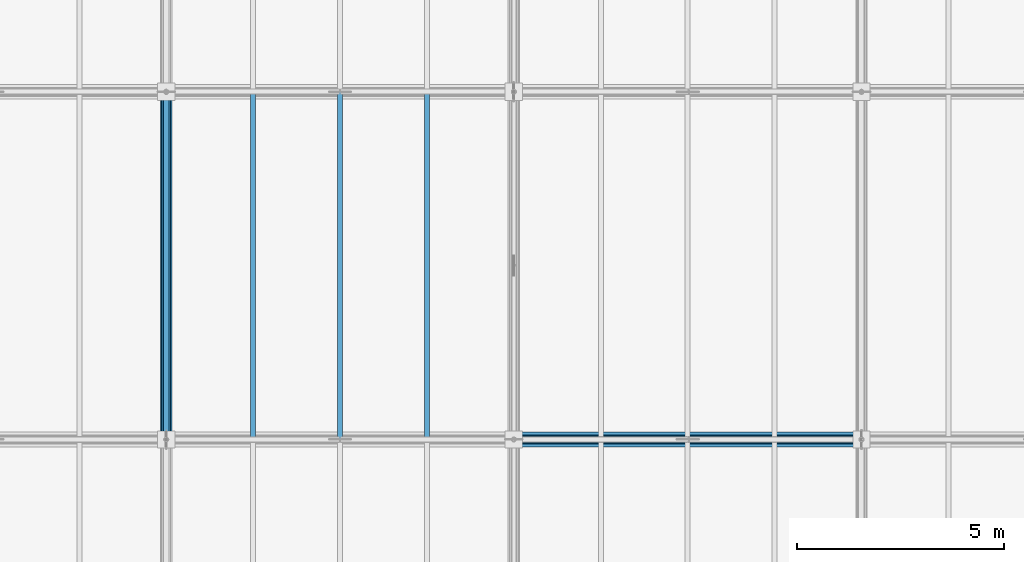
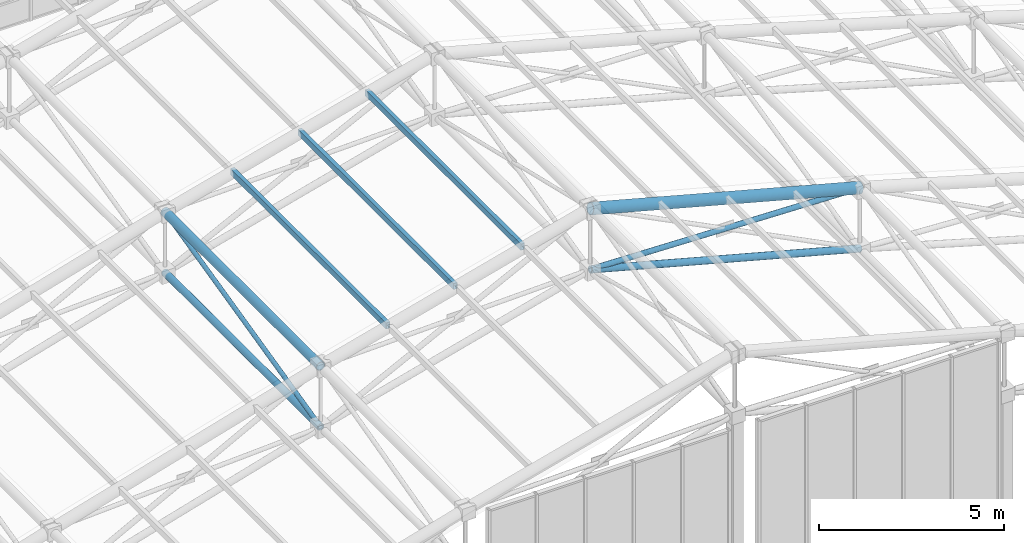
# One storey, part 46 of 144: 9 members.
"""IFC4 building model written with IfcOpenShell, lengths in metres."""

import ifcopenshell
import ifcopenshell.guid

model = None  # the IFC model being written
_history = None  # IfcOwnerHistory: only IFC2X3 demands one
_inside = {}  # id of a spatial element -> (the spatial element, [elements in it])
_under = {}  # id of a project, library or spatial element -> (it, [spatial elements below it])
_declared = {}  # id of a project -> (the project, [libraries it declares])
_typed = {}  # id of a type object -> (the type object, [elements of that type])
_made_of = {}  # id of a material, layer set ... -> (it, [elements and type objects made of it])


def new_model(schema):
    """Start an empty IFC model of exactly this schema.

    Asked for "IFC4X3", IfcOpenShell would pick the latest addendum, in which some entities
    have other attributes; the version numbers below select the first issue.
    IFC2X3 requires an IfcOwnerHistory on every rooted entity: one is made here for all.
    """
    global model, _history
    if schema == "IFC4X3":
        model = ifcopenshell.file(schema_version=(4, 3, 0, 0))
    else:
        model = ifcopenshell.file(schema=schema)
    _inside.clear()
    _under.clear()
    _declared.clear()
    _typed.clear()
    _made_of.clear()
    _history = None
    if model.schema == "IFC2X3":
        org = make("IfcOrganization", Name="unknown")
        user = make(
            "IfcPersonAndOrganization",
            ThePerson=make("IfcPerson", FamilyName="unknown"),
            TheOrganization=org,
        )
        app = make(
            "IfcApplication",
            ApplicationDeveloper=org,
            Version="unknown",
            ApplicationFullName="unknown",
            ApplicationIdentifier="unknown",
        )
        _history = make(
            "IfcOwnerHistory",
            OwningUser=user,
            OwningApplication=app,
            ChangeAction="ADDED",
            CreationDate=0,
        )
    return model


def make(cls, **values):
    """One entity of the class cls with the attributes given. An attribute that is None is left unset."""
    return model.create_entity(
        cls, **{name: value for name, value in values.items() if value is not None}
    )


def rooted(cls, **values):
    """An entity with a GlobalId (a new one), such as an element, a storey or a relation."""
    return make(cls, GlobalId=ifcopenshell.guid.new(), OwnerHistory=_history, **values)


def si_unit(unit_type, name, prefix=None):
    """IfcSIUnit, for example si_unit("LENGTHUNIT", "METRE", prefix="MILLI")."""
    return make("IfcSIUnit", UnitType=unit_type, Prefix=prefix, Name=name)


def assignment(units):
    """IfcUnitAssignment: the units of a project."""
    return None if units is None else make("IfcUnitAssignment", Units=units)


def point(xyz):
    """IfcCartesianPoint."""
    return None if xyz is None else make("IfcCartesianPoint", Coordinates=xyz)


def direction(xyz):
    """IfcDirection."""
    return None if xyz is None else make("IfcDirection", DirectionRatios=xyz)


def frame(location, z_axis=None, x_axis=None):
    """IfcAxis2Placement3D, a coordinate frame: its origin and axes. An axis left out is left unset."""
    return make(
        "IfcAxis2Placement3D",
        Location=point(location),
        Axis=direction(z_axis),
        RefDirection=direction(x_axis),
    )


def frame_2d(location, x_axis=None):
    """IfcAxis2Placement2D, a coordinate frame in the plane: its origin and x axis."""
    return make(
        "IfcAxis2Placement2D", Location=point(location), RefDirection=direction(x_axis)
    )


def origin():
    """The frame at (0, 0, 0) with its axes left unset."""
    return frame((0.0, 0.0, 0.0))


def origin_2d():
    """The frame at (0, 0) in the plane with its x axis left unset."""
    return frame_2d((0.0, 0.0))


def place(relative_to, where):
    """IfcLocalPlacement: puts the frame where relative to a parent placement (None: the world)."""
    return make(
        "IfcLocalPlacement", PlacementRelTo=relative_to, RelativePlacement=where
    )


def context(
    kind, dimensions, precision=None, world=None, true_north=None, identifier=None
):
    """IfcGeometricRepresentationContext, for example the 3D "Model" context."""
    return make(
        "IfcGeometricRepresentationContext",
        ContextIdentifier=identifier,
        ContextType=kind,
        CoordinateSpaceDimension=dimensions,
        Precision=precision,
        WorldCoordinateSystem=world,
        TrueNorth=true_north,
    )


def subcontext(parent, identifier, kind, view, scale=None):
    """IfcGeometricRepresentationSubContext, for example "Body" below "Model"."""
    return make(
        "IfcGeometricRepresentationSubContext",
        ContextIdentifier=identifier,
        ContextType=kind,
        ParentContext=parent,
        TargetScale=scale,
        TargetView=view,
    )


def project(units=None, contexts=None):
    """IfcProject with its units and contexts."""
    return rooted(
        "IfcProject",
        Name="project",
        RepresentationContexts=contexts,
        UnitsInContext=assignment(units),
    )


def spatial(cls, under=None, at=None, **own):
    """A site, building, storey or space (cls), placed at a placement, below another one or the project."""
    s = rooted(cls, ObjectPlacement=at, **own)
    if under is not None:
        _under.setdefault(under.id(), (under, []))[1].append(s)
    return s


def profile(cls, at=None, kind="AREA", **sizes):
    """A parametric profile (cls). Its sizes go by their IFC names, for example OverallWidth=200.0."""
    return make(cls, ProfileType=kind, Position=at, **sizes)


def hollow_rectangle(**sizes):
    """IfcRectangleHollowProfileDef."""
    return profile("IfcRectangleHollowProfileDef", **sizes)


def hollow_circle(**sizes):
    """IfcCircleHollowProfileDef."""
    return profile("IfcCircleHollowProfileDef", **sizes)


def extrude(swept, where, along, depth):
    """IfcExtrudedAreaSolid: the profile swept, set in the frame where, extruded along a direction by depth."""
    return make(
        "IfcExtrudedAreaSolid",
        SweptArea=swept,
        Position=where,
        ExtrudedDirection=direction(along),
        Depth=depth,
    )


def shape(context_of_items, identifier, shape_type, items):
    """IfcShapeRepresentation: the items that make up one representation, for example the "Body"."""
    return make(
        "IfcShapeRepresentation",
        ContextOfItems=context_of_items,
        RepresentationIdentifier=identifier,
        RepresentationType=shape_type,
        Items=items,
    )


def material(Name=None, Category=None):
    """IfcMaterial."""
    return make("IfcMaterial", Name=Name, Category=Category)


def material_profile(
    of_material, cross_section, Name=None, Category=None, Priority=None
):
    """IfcMaterialProfile: a cross section and its material."""
    return make(
        "IfcMaterialProfile",
        Name=Name,
        Material=of_material,
        Profile=cross_section,
        Priority=Priority,
        Category=Category,
    )


def profile_set(profiles, Name=None, composite=None):
    """IfcMaterialProfileSet."""
    return make(
        "IfcMaterialProfileSet",
        Name=Name,
        MaterialProfiles=profiles,
        CompositeProfile=composite,
    )


def made_of(thing, what):
    """Note that an element or type object is made of a material, layer set ...; save() writes the relation."""
    if what is not None:
        _made_of.setdefault(what.id(), (what, []))[1].append(thing)
    return thing


def type_object(cls, material=None, **own):
    """A type object (cls), such as IfcWallType, which elements share."""
    return made_of(rooted(cls, **own), material)


def element(
    cls,
    number,
    at=None,
    inside=None,
    cuts=None,
    type_object=None,
    material=None,
    context=None,
    identifier="Body",
    shape_type=None,
    held_by="IfcProductDefinitionShape",
    body=None,
    shapes=None,
    **own,
):
    """One element of the class cls, such as IfcWall. Its Tag is "e" and its number.

    at: its placement. inside: the storey or other place that contains it. cuts: it is an
    opening in that element (IfcRelVoidsElement). A single representation is given by context,
    identifier, shape_type and body (its items); several are given by shapes. held_by: the class
    of the entity that holds the representations. save() writes the other relations.
    """
    e = rooted(cls, Tag="e%d" % number, ObjectPlacement=at, **own)
    if body is not None:
        shapes = [shape(context, identifier, shape_type, body)]
    if shapes is not None:
        e.Representation = make(held_by, Representations=shapes)
    if inside is not None:
        _inside.setdefault(inside.id(), (inside, []))[1].append(e)
    if cuts is not None:
        rooted(
            "IfcRelVoidsElement", RelatingBuildingElement=cuts, RelatedOpeningElement=e
        )
    if type_object is not None:
        _typed.setdefault(type_object.id(), (type_object, []))[1].append(e)
    return made_of(e, material)


def aggregate(whole, parts):
    """IfcRelAggregates: a whole, such as a stair, and the parts it consists of."""
    return rooted("IfcRelAggregates", RelatingObject=whole, RelatedObjects=parts)


def save(model, path):
    """Write the relations noted so far, then the file.

    IfcRelAggregates (storeys below a building ...), IfcRelContainedInSpatialStructure (elements
    in a storey), IfcRelDefinesByType, IfcRelAssociatesMaterial and IfcRelDeclares: one each for
    every whole, place, type object, material and project.
    """
    for whole, parts in _under.values():
        aggregate(whole, parts)
    for where, things in _inside.values():
        rooted(
            "IfcRelContainedInSpatialStructure",
            RelatedElements=things,
            RelatingStructure=where,
        )
    for kind, things in _typed.values():
        rooted("IfcRelDefinesByType", RelatedObjects=things, RelatingType=kind)
    for what, things in _made_of.values():
        rooted("IfcRelAssociatesMaterial", RelatedObjects=things, RelatingMaterial=what)
    for by, libraries in _declared.values():
        rooted("IfcRelDeclares", RelatingContext=by, RelatedDefinitions=libraries)
    model.write(path)


model = new_model("IFC4")

# Units and contexts
model_context = context("Model", 3, precision=1e-05, world=origin(), true_north=direction((0.0, 1.0)))
body_context = subcontext(model_context, "Body", "Model", "MODEL_VIEW")
ifc_project = project(units=[si_unit("LENGTHUNIT", "METRE"), si_unit("AREAUNIT", "SQUARE_METRE"), si_unit("VOLUMEUNIT", "CUBIC_METRE"), si_unit("PLANEANGLEUNIT", "RADIAN"), si_unit("MASSUNIT", "GRAM", prefix="KILO")], contexts=[model_context])

# Site, building, storey
site_placement = place(None, origin())
site = spatial("IfcSite", under=ifc_project, at=site_placement, CompositionType="ELEMENT")
building_placement = place(site_placement, origin())
building = spatial("IfcBuilding", under=site, at=building_placement, Name="Zayran Congress Hotel", CompositionType="ELEMENT")
storey_placement = place(building_placement, frame((0.0, 0.0, 19.199951171875)))
storey = spatial("IfcBuildingStorey", under=building, at=storey_placement, Name="L04", CompositionType="ELEMENT", Elevation=19.199951171875)

# Members
ifc_material = material(Name="Steel S355", Category="steel")
ifc_material_profile_1 = material_profile(ifc_material, hollow_circle(Radius=0.177734375, WallThickness=0.01611328125, at=origin_2d()), Name="CHS 355.6x16")
ifc_profile_set_1 = profile_set([ifc_material_profile_1], Name="Steel S355")
member_type_1 = type_object("IfcMemberType", Name="TP-SF-TC1", PredefinedType="CHORD", material=ifc_profile_set_1)
member_1_placement = place(storey_placement, frame((50.39990234375, 76.0, 14.60205078125), z_axis=(0.96594917914, 0.0, -0.258731875344), x_axis=(0.0, 1.0, 0.0)))
element("IfcMember", 1, at=member_1_placement, inside=storey, type_object=member_type_1, Name="Space Frame Top Chord X 281", PredefinedType="CHORD", context=body_context, shape_type="SweptSolid", body=[
    extrude(hollow_circle(Radius=0.177734375, WallThickness=0.01611328125, at=origin_2d()), origin(), (0.0, 0.0, 1.0), 8.6962890625),
])
ifc_material_profile_2 = material_profile(ifc_material, hollow_circle(Radius=0.136474609375, WallThickness=0.012451171875, at=origin_2d()), Name="CHS 273x12.5")
ifc_profile_set_2 = profile_set([ifc_material_profile_2], Name="Steel S355")
member_type_2 = type_object("IfcMemberType", Name="TP-SF-TC2", PredefinedType="CHORD", material=ifc_profile_set_2)
member_2_placement = place(storey_placement, frame((42.0, 76.0, 12.35205078125), z_axis=(0.0, 1.0, 0.0), x_axis=(-1.0, 0.0, 0.0)))
element("IfcMember", 2, at=member_2_placement, inside=storey, type_object=member_type_2, Name="Space Frame Top Chord Y 231", PredefinedType="CHORD", context=body_context, shape_type="SweptSolid", body=[
    extrude(hollow_circle(Radius=0.136474609375, WallThickness=0.012451171875, at=origin_2d()), origin(), (0.0, 0.0, 1.0), 8.39990234375),
])
ifc_material_profile_3 = material_profile(ifc_material, hollow_circle(Radius=0.109619140625, WallThickness=0.010009765625, at=origin_2d()), Name="CHS 219.1x10")
ifc_profile_set_3 = profile_set([ifc_material_profile_3], Name="Steel S355")
member_type_3 = type_object("IfcMemberType", Name="TP-SF-BC1", PredefinedType="CHORD", material=ifc_profile_set_3)
member_3_placement = place(storey_placement, frame((42.0, 76.0, 10.35009765625), z_axis=(0.0, 1.0, 0.0), x_axis=(-1.0, 0.0, 0.0)))
element("IfcMember", 3, at=member_3_placement, inside=storey, type_object=member_type_3, Name="Space Frame Bottom Chord Y 232", PredefinedType="CHORD", context=body_context, shape_type="SweptSolid", body=[
    extrude(hollow_circle(Radius=0.109619140625, WallThickness=0.010009765625, at=origin_2d()), origin(), (0.0, 0.0, 1.0), 8.39990234375),
])
member_4_placement = place(storey_placement, frame((50.39990234375, 76.0, 12.60009765625), z_axis=(0.96594917914, 0.0, -0.258731875344), x_axis=(0.0, 1.0, 0.0)))
element("IfcMember", 4, at=member_4_placement, inside=storey, type_object=member_type_3, Name="Space Frame Bottom Chord X 282", PredefinedType="CHORD", context=body_context, shape_type="SweptSolid", body=[
    extrude(hollow_circle(Radius=0.109619140625, WallThickness=0.010009765625, at=origin_2d()), origin(), (0.0, 0.0, 1.0), 8.6962890625),
])
ifc_material_profile_4 = material_profile(ifc_material, hollow_circle(Radius=0.084228515625, WallThickness=0.008056640625, at=origin_2d()), Name="CHS 168.3x8")
ifc_profile_set_4 = profile_set([ifc_material_profile_4], Name="Steel S355")
member_type_4 = type_object("IfcMemberType", Name="TP-SF-DG1", PredefinedType="BRACE", material=ifc_profile_set_4)
member_5_placement = place(storey_placement, frame((50.39990234375, 76.0, 12.60009765625), z_axis=(0.99956430768, 0.0, -0.029516009434), x_axis=(0.0, 1.0, 0.0)))
element("IfcMember", 5, at=member_5_placement, inside=storey, type_object=member_type_4, Name="Space Frame Web Diagonal X 283", PredefinedType="BRACE", context=body_context, shape_type="SweptSolid", body=[
    extrude(hollow_circle(Radius=0.084228515625, WallThickness=0.008056640625, at=origin_2d()), origin(), (0.0, 0.0, 1.0), 8.40380859375),
])
ifc_material_profile_5 = material_profile(ifc_material, hollow_circle(Radius=0.06982421875, WallThickness=0.00634765625, at=origin_2d()), Name="CHS 139.7x6.3")
ifc_profile_set_5 = profile_set([ifc_material_profile_5], Name="Steel S355")
member_type_5 = type_object("IfcMemberType", Name="TP-SF-DG2", PredefinedType="BRACE", material=ifc_profile_set_5)
member_6_placement = place(storey_placement, frame((42.0, 76.0, 10.35009765625), z_axis=(0.0, 0.97275461998, 0.231837118056), x_axis=(-1.0, 0.0, 0.0)))
element("IfcMember", 6, at=member_6_placement, inside=storey, type_object=member_type_5, Name="Space Frame Web Diagonal Y 233", PredefinedType="BRACE", context=body_context, shape_type="SweptSolid", body=[
    extrude(hollow_circle(Radius=0.06982421875, WallThickness=0.00634765625, at=origin_2d()), origin(), (0.0, 0.0, 1.0), 8.63525390625),
])
ifc_material_profile_6 = material_profile(ifc_material, hollow_rectangle(XDim=0.1201171875, YDim=0.199951171875, WallThickness=0.008056640625, at=origin_2d()), Name="RHS 200x120x8")
ifc_profile_set_6 = profile_set([ifc_material_profile_6], Name="Steel S355")
member_type_6 = type_object("IfcMemberType", Name="TP-PR-01", PredefinedType="PURLIN", material=ifc_profile_set_6)
for number, where, z_axis, x_axis, name in (
    (7, (44.10009765625, 76.0, 12.95654296875), (0.0, 1.0, 0.0), (-1.0, 0.0, 0.0), "MEM-PR-V1-0074"),
    (8, (46.199951171875, 76.0, 13.51904296875), (0.0, 1.0, 0.0), (-1.0, 0.0, 0.0), "MEM-PR-V1-0080"),
    (9, (48.300048828125, 76.0, 14.08154296875), (0.0, 1.0, 0.0), (-1.0, 0.0, 0.0), "MEM-PR-V1-0086"),
):
    element("IfcMember", number, at=place(storey_placement, frame(where, z_axis=z_axis, x_axis=x_axis)), inside=storey, type_object=member_type_6, Name=name, PredefinedType="PURLIN", context=body_context, shape_type="SweptSolid", body=[
        extrude(hollow_rectangle(XDim=0.1201171875, YDim=0.199951171875, WallThickness=0.008056640625, at=origin_2d()), origin(), (0.0, 0.0, 1.0), 8.39990234375),
    ])

save(model, "model.ifc")
